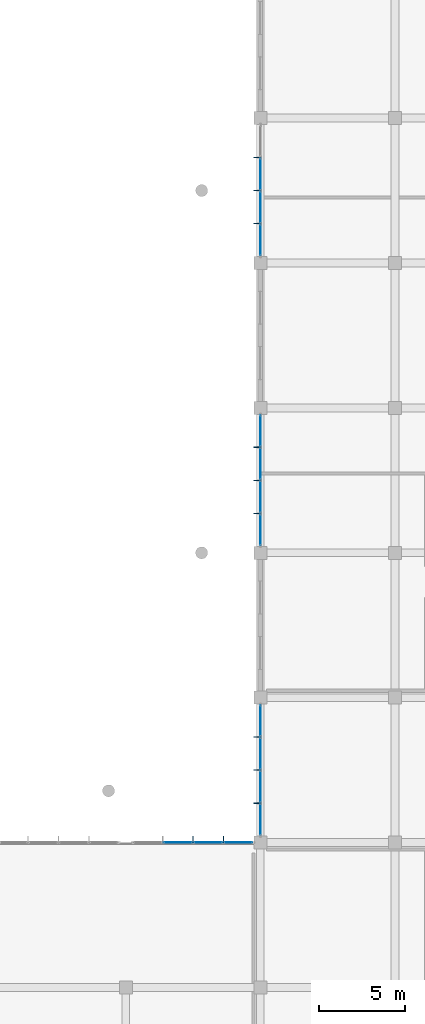
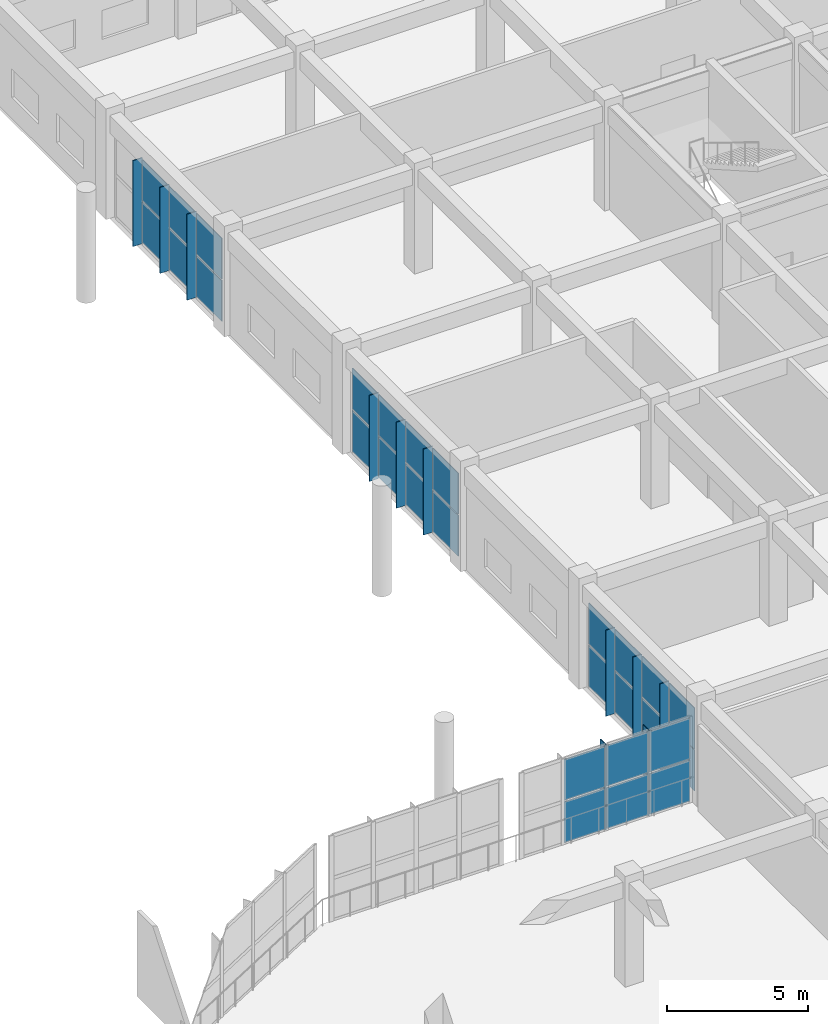
# One storey, part 134 of 167: 39 plates, 4 elements without a shape of their own.
"""IFC4 building model written with IfcOpenShell, lengths in metres."""

from ifc_helpers import new_model, si_unit, direction, frame, origin, origin_2d, place, context, subcontext, project, spatial, polyline, rectangle, outline, extrude, material, layer, layer_set, type_object, element, aggregate, save


model = new_model("IFC4")

# Units and contexts
model_context = context("Model", 3, precision=1e-05, world=origin(), true_north=direction((0.0, 1.0)))
body_context = subcontext(model_context, "Body", "Model", "MODEL_VIEW")
ifc_project = project(units=[si_unit("LENGTHUNIT", "METRE"), si_unit("AREAUNIT", "SQUARE_METRE"), si_unit("VOLUMEUNIT", "CUBIC_METRE"), si_unit("PLANEANGLEUNIT", "RADIAN"), si_unit("MASSUNIT", "GRAM", prefix="KILO")], contexts=[model_context])

# Site, building, storey
site_placement = place(None, origin())
site = spatial("IfcSite", under=ifc_project, at=site_placement, CompositionType="ELEMENT")
building_placement = place(site_placement, origin())
building = spatial("IfcBuilding", under=site, at=building_placement, Name="Zizhar Promenade General Hospital", CompositionType="ELEMENT")
storey_placement = place(building_placement, frame((0.0, 0.0, 9.60009765625)))
storey = spatial("IfcBuildingStorey", under=building, at=storey_placement, Name="L02", CompositionType="ELEMENT", Elevation=9.60009765625)

# Curtain wall, plates
ifc_material_1 = material(Name="Anodised aluminium 6063-T6 and low-E glass", Category="aluminium")
ifc_layer_1 = layer(ifc_material_1, 0.159912109375)
ifc_layer_set_1 = layer_set([ifc_layer_1], Name="Anodised aluminium 6063-T6 and low-E glass")
curtain_wall_type_1 = type_object("IfcCurtainWallType", Name="CW-DT-MOD2", PredefinedType="NOTDEFINED", material=ifc_layer_set_1)
curtain_wall_1_placement = place(storey_placement, origin())
curtain_wall_1 = element("IfcCurtainWall", 1, at=curtain_wall_1_placement, inside=storey, type_object=curtain_wall_type_1, Name="West Diagnostic Arm Glazed Curtain Wall L02-N2", PredefinedType="NOTDEFINED")
ifc_material_2 = material(Name="Low-E solar-control glass", Category="glass")
ifc_layer_2 = layer(ifc_material_2, 0.031982421875)
ifc_layer_set_2 = layer_set([ifc_layer_2], Name="Low-E solar-control glass")
plate_type_1 = type_object("IfcPlateType", Name="CWP-GLZ-32", PredefinedType="CURTAIN_PANEL", material=ifc_layer_set_2)
plate_1_placement = place(storey_placement, frame((42.02001953125, 84.0, 0.06005859375), z_axis=(0.0, 0.0, 1.0), x_axis=(1.0, 0.0, 0.0)))
plate_1 = element("IfcPlate", 2, at=plate_1_placement, type_object=plate_type_1, Name="CW-08 panel 2.1", PredefinedType="CURTAIN_PANEL", context=body_context, shape_type="SweptSolid", body=[
    extrude(rectangle(XDim=1.679931640625, YDim=0.031982421875, at=origin_2d()), origin(), (0.0, 0.0, 1.0), 1.77490234375),
])
plate_2_placement = place(storey_placement, frame((42.02001953125, 84.0, 1.89501953125), z_axis=(0.0, 0.0, 1.0), x_axis=(1.0, 0.0, 0.0)))
plate_2 = element("IfcPlate", 3, at=plate_2_placement, type_object=plate_type_1, Name="CW-08 panel 2.2", PredefinedType="CURTAIN_PANEL", context=body_context, shape_type="SweptSolid", body=[
    extrude(rectangle(XDim=1.679931640625, YDim=0.031982421875, at=origin_2d()), origin(), (0.0, 0.0, 1.0), 1.77490234375),
])
plate_3_placement = place(storey_placement, frame((43.780029296875, 84.0, 0.06005859375), z_axis=(0.0, 0.0, 1.0), x_axis=(1.0, 0.0, 0.0)))
plate_3 = element("IfcPlate", 4, at=plate_3_placement, type_object=plate_type_1, Name="CW-08 panel 3.1", PredefinedType="CURTAIN_PANEL", context=body_context, shape_type="SweptSolid", body=[
    extrude(rectangle(XDim=1.679931640625, YDim=0.031982421875, at=origin_2d()), origin(), (0.0, 0.0, 1.0), 1.77490234375),
])
plate_4_placement = place(storey_placement, frame((43.780029296875, 84.0, 1.89501953125), z_axis=(0.0, 0.0, 1.0), x_axis=(1.0, 0.0, 0.0)))
plate_4 = element("IfcPlate", 5, at=plate_4_placement, type_object=plate_type_1, Name="CW-08 panel 3.2", PredefinedType="CURTAIN_PANEL", context=body_context, shape_type="SweptSolid", body=[
    extrude(rectangle(XDim=1.679931640625, YDim=0.031982421875, at=origin_2d()), origin(), (0.0, 0.0, 1.0), 1.77490234375),
])
plate_5_placement = place(storey_placement, frame((45.52001953125, 84.0, 0.06005859375), z_axis=(0.0, 0.0, 1.0), x_axis=(1.0, 0.0, 0.0)))
plate_5 = element("IfcPlate", 6, at=plate_5_placement, type_object=plate_type_1, Name="CW-08 panel 4.1", PredefinedType="CURTAIN_PANEL", context=body_context, shape_type="SweptSolid", body=[
    extrude(rectangle(XDim=1.639892578125, YDim=0.031982421875, at=origin_2d()), origin(), (0.0, 0.0, 1.0), 1.77490234375),
])
plate_6_placement = place(storey_placement, frame((45.52001953125, 84.0, 1.89501953125), z_axis=(0.0, 0.0, 1.0), x_axis=(1.0, 0.0, 0.0)))
plate_6 = element("IfcPlate", 7, at=plate_6_placement, type_object=plate_type_1, Name="CW-08 panel 4.2", PredefinedType="CURTAIN_PANEL", context=body_context, shape_type="SweptSolid", body=[
    extrude(rectangle(XDim=1.639892578125, YDim=0.031982421875, at=origin_2d()), origin(), (0.0, 0.0, 1.0), 1.77490234375),
])
aggregate(curtain_wall_1, [plate_1, plate_2, plate_3, plate_4, plate_5, plate_6])

ifc_material_3 = material(Name="Anodised aluminium 6063-T6 and low-E glass", Category="aluminium")
ifc_layer_3 = layer(ifc_material_3, 0.159912109375)
ifc_layer_set_3 = layer_set([ifc_layer_3], Name="Anodised aluminium 6063-T6 and low-E glass")
curtain_wall_type_2 = type_object("IfcCurtainWallType", Name="CW-DT-MOD1", PredefinedType="NOTDEFINED", material=ifc_layer_set_3)
curtain_wall_2_placement = place(storey_placement, origin())
curtain_wall_2 = element("IfcCurtainWall", 8, at=curtain_wall_2_placement, inside=storey, type_object=curtain_wall_type_2, Name="Surgical West Glazed Curtain Wall L02-10", PredefinedType="NOTDEFINED")
plate_7_placement = place(storey_placement, frame((46.800048828125, 85.340087890625, 0.06005859375), z_axis=(0.0, 0.0, 1.0), x_axis=(0.0, 1.0, 0.0)))
plate_7 = element("IfcPlate", 9, at=plate_7_placement, type_object=plate_type_1, Name="CW-07 panel 1.1", PredefinedType="CURTAIN_PANEL", context=body_context, shape_type="SweptSolid", body=[
    extrude(rectangle(XDim=1.800048828125, YDim=0.031982421875, at=origin_2d()), origin(), (0.0, 0.0, 1.0), 1.77490234375),
])
plate_8_placement = place(storey_placement, frame((46.800048828125, 85.340087890625, 1.89501953125), z_axis=(0.0, 0.0, 1.0), x_axis=(0.0, 1.0, 0.0)))
plate_8 = element("IfcPlate", 10, at=plate_8_placement, type_object=plate_type_1, Name="CW-07 panel 1.2", PredefinedType="CURTAIN_PANEL", context=body_context, shape_type="SweptSolid", body=[
    extrude(rectangle(XDim=1.800048828125, YDim=0.031982421875, at=origin_2d()), origin(), (0.0, 0.0, 1.0), 1.77490234375),
])
plate_9_placement = place(storey_placement, frame((46.800048828125, 87.239990234375, 0.06005859375), z_axis=(0.0, 0.0, 1.0), x_axis=(0.0, 1.0, 0.0)))
plate_9 = element("IfcPlate", 11, at=plate_9_placement, type_object=plate_type_1, Name="CW-07 panel 2.1", PredefinedType="CURTAIN_PANEL", context=body_context, shape_type="SweptSolid", body=[
    extrude(rectangle(XDim=1.840087890625, YDim=0.031982421875, at=origin_2d()), origin(), (0.0, 0.0, 1.0), 1.77490234375),
])
plate_10_placement = place(storey_placement, frame((46.800048828125, 87.239990234375, 1.89501953125), z_axis=(0.0, 0.0, 1.0), x_axis=(0.0, 1.0, 0.0)))
plate_10 = element("IfcPlate", 12, at=plate_10_placement, type_object=plate_type_1, Name="CW-07 panel 2.2", PredefinedType="CURTAIN_PANEL", context=body_context, shape_type="SweptSolid", body=[
    extrude(rectangle(XDim=1.840087890625, YDim=0.031982421875, at=origin_2d()), origin(), (0.0, 0.0, 1.0), 1.77490234375),
])
plate_11_placement = place(storey_placement, frame((46.800048828125, 89.159912109375, 0.06005859375), z_axis=(0.0, 0.0, 1.0), x_axis=(0.0, 1.0, 0.0)))
plate_11 = element("IfcPlate", 13, at=plate_11_placement, type_object=plate_type_1, Name="CW-07 panel 3.1", PredefinedType="CURTAIN_PANEL", context=body_context, shape_type="SweptSolid", body=[
    extrude(rectangle(XDim=1.840087890625, YDim=0.031982421875, at=origin_2d()), origin(), (0.0, 0.0, 1.0), 1.77490234375),
])
plate_12_placement = place(storey_placement, frame((46.800048828125, 89.159912109375, 1.89501953125), z_axis=(0.0, 0.0, 1.0), x_axis=(0.0, 1.0, 0.0)))
plate_12 = element("IfcPlate", 14, at=plate_12_placement, type_object=plate_type_1, Name="CW-07 panel 3.2", PredefinedType="CURTAIN_PANEL", context=body_context, shape_type="SweptSolid", body=[
    extrude(rectangle(XDim=1.840087890625, YDim=0.031982421875, at=origin_2d()), origin(), (0.0, 0.0, 1.0), 1.77490234375),
])
plate_13_placement = place(storey_placement, frame((46.800048828125, 91.06005859375, 0.06005859375), z_axis=(0.0, 0.0, 1.0), x_axis=(0.0, 1.0, 0.0)))
plate_13 = element("IfcPlate", 15, at=plate_13_placement, type_object=plate_type_1, Name="CW-07 panel 4.1", PredefinedType="CURTAIN_PANEL", context=body_context, shape_type="SweptSolid", body=[
    extrude(rectangle(XDim=1.800048828125, YDim=0.031982421875, at=origin_2d()), origin(), (0.0, 0.0, 1.0), 1.77490234375),
])
plate_14_placement = place(storey_placement, frame((46.800048828125, 91.06005859375, 1.89501953125), z_axis=(0.0, 0.0, 1.0), x_axis=(0.0, 1.0, 0.0)))
plate_14 = element("IfcPlate", 16, at=plate_14_placement, type_object=plate_type_1, Name="CW-07 panel 4.2", PredefinedType="CURTAIN_PANEL", context=body_context, shape_type="SweptSolid", body=[
    extrude(rectangle(XDim=1.800048828125, YDim=0.031982421875, at=origin_2d()), origin(), (0.0, 0.0, 1.0), 1.77490234375),
])
aggregate(curtain_wall_2, [plate_7, plate_8, plate_9, plate_10, plate_11, plate_12, plate_13, plate_14])

curtain_wall_3_placement = place(storey_placement, origin())
curtain_wall_3 = element("IfcCurtainWall", 17, at=curtain_wall_3_placement, inside=storey, type_object=curtain_wall_type_2, Name="Surgical West Glazed Curtain Wall L02-12", PredefinedType="NOTDEFINED")
plate_15_placement = place(storey_placement, frame((46.800048828125, 102.139892578125, 0.06005859375), z_axis=(0.0, 0.0, 1.0), x_axis=(0.0, 1.0, 0.0)))
plate_15 = element("IfcPlate", 18, at=plate_15_placement, type_object=plate_type_1, Name="CW-07 panel 1.1", PredefinedType="CURTAIN_PANEL", context=body_context, shape_type="SweptSolid", body=[
    extrude(rectangle(XDim=1.800048828125, YDim=0.031982421875, at=origin_2d()), origin(), (0.0, 0.0, 1.0), 1.77490234375),
])
plate_16_placement = place(storey_placement, frame((46.800048828125, 102.139892578125, 1.89501953125), z_axis=(0.0, 0.0, 1.0), x_axis=(0.0, 1.0, 0.0)))
plate_16 = element("IfcPlate", 19, at=plate_16_placement, type_object=plate_type_1, Name="CW-07 panel 1.2", PredefinedType="CURTAIN_PANEL", context=body_context, shape_type="SweptSolid", body=[
    extrude(rectangle(XDim=1.800048828125, YDim=0.031982421875, at=origin_2d()), origin(), (0.0, 0.0, 1.0), 1.77490234375),
])
plate_17_placement = place(storey_placement, frame((46.800048828125, 104.0400390625, 0.06005859375), z_axis=(0.0, 0.0, 1.0), x_axis=(0.0, 1.0, 0.0)))
plate_17 = element("IfcPlate", 20, at=plate_17_placement, type_object=plate_type_1, Name="CW-07 panel 2.1", PredefinedType="CURTAIN_PANEL", context=body_context, shape_type="SweptSolid", body=[
    extrude(rectangle(XDim=1.840087890625, YDim=0.031982421875, at=origin_2d()), origin(), (0.0, 0.0, 1.0), 1.77490234375),
])
plate_18_placement = place(storey_placement, frame((46.800048828125, 104.0400390625, 1.89501953125), z_axis=(0.0, 0.0, 1.0), x_axis=(0.0, 1.0, 0.0)))
plate_18 = element("IfcPlate", 21, at=plate_18_placement, type_object=plate_type_1, Name="CW-07 panel 2.2", PredefinedType="CURTAIN_PANEL", context=body_context, shape_type="SweptSolid", body=[
    extrude(rectangle(XDim=1.840087890625, YDim=0.031982421875, at=origin_2d()), origin(), (0.0, 0.0, 1.0), 1.77490234375),
])
plate_19_placement = place(storey_placement, frame((46.800048828125, 105.9599609375, 0.06005859375), z_axis=(0.0, 0.0, 1.0), x_axis=(0.0, 1.0, 0.0)))
plate_19 = element("IfcPlate", 22, at=plate_19_placement, type_object=plate_type_1, Name="CW-07 panel 3.1", PredefinedType="CURTAIN_PANEL", context=body_context, shape_type="SweptSolid", body=[
    extrude(rectangle(XDim=1.840087890625, YDim=0.031982421875, at=origin_2d()), origin(), (0.0, 0.0, 1.0), 1.77490234375),
])
plate_20_placement = place(storey_placement, frame((46.800048828125, 105.9599609375, 1.89501953125), z_axis=(0.0, 0.0, 1.0), x_axis=(0.0, 1.0, 0.0)))
plate_20 = element("IfcPlate", 23, at=plate_20_placement, type_object=plate_type_1, Name="CW-07 panel 3.2", PredefinedType="CURTAIN_PANEL", context=body_context, shape_type="SweptSolid", body=[
    extrude(rectangle(XDim=1.840087890625, YDim=0.031982421875, at=origin_2d()), origin(), (0.0, 0.0, 1.0), 1.77490234375),
])
plate_21_placement = place(storey_placement, frame((46.800048828125, 107.860107421875, 0.06005859375), z_axis=(0.0, 0.0, 1.0), x_axis=(0.0, 1.0, 0.0)))
plate_21 = element("IfcPlate", 24, at=plate_21_placement, type_object=plate_type_1, Name="CW-07 panel 4.1", PredefinedType="CURTAIN_PANEL", context=body_context, shape_type="SweptSolid", body=[
    extrude(rectangle(XDim=1.800048828125, YDim=0.031982421875, at=origin_2d()), origin(), (0.0, 0.0, 1.0), 1.77490234375),
])
plate_22_placement = place(storey_placement, frame((46.800048828125, 107.860107421875, 1.89501953125), z_axis=(0.0, 0.0, 1.0), x_axis=(0.0, 1.0, 0.0)))
plate_22 = element("IfcPlate", 25, at=plate_22_placement, type_object=plate_type_1, Name="CW-07 panel 4.2", PredefinedType="CURTAIN_PANEL", context=body_context, shape_type="SweptSolid", body=[
    extrude(rectangle(XDim=1.800048828125, YDim=0.031982421875, at=origin_2d()), origin(), (0.0, 0.0, 1.0), 1.77490234375),
])
aggregate(curtain_wall_3, [plate_15, plate_16, plate_17, plate_18, plate_19, plate_20, plate_21, plate_22])

curtain_wall_4_placement = place(storey_placement, origin())
curtain_wall_4 = element("IfcCurtainWall", 26, at=curtain_wall_4_placement, inside=storey, type_object=curtain_wall_type_2, Name="Surgical West Glazed Curtain Wall L02-14", PredefinedType="NOTDEFINED")
plate_23_placement = place(storey_placement, frame((46.800048828125, 118.93994140625, 0.06005859375), z_axis=(0.0, 0.0, 1.0), x_axis=(0.0, 1.0, 0.0)))
plate_23 = element("IfcPlate", 27, at=plate_23_placement, type_object=plate_type_1, Name="CW-07 panel 1.1", PredefinedType="CURTAIN_PANEL", context=body_context, shape_type="SweptSolid", body=[
    extrude(rectangle(XDim=1.800048828125, YDim=0.031982421875, at=origin_2d()), origin(), (0.0, 0.0, 1.0), 1.77490234375),
])
plate_24_placement = place(storey_placement, frame((46.800048828125, 118.93994140625, 1.89501953125), z_axis=(0.0, 0.0, 1.0), x_axis=(0.0, 1.0, 0.0)))
plate_24 = element("IfcPlate", 28, at=plate_24_placement, type_object=plate_type_1, Name="CW-07 panel 1.2", PredefinedType="CURTAIN_PANEL", context=body_context, shape_type="SweptSolid", body=[
    extrude(rectangle(XDim=1.800048828125, YDim=0.031982421875, at=origin_2d()), origin(), (0.0, 0.0, 1.0), 1.77490234375),
])
plate_25_placement = place(storey_placement, frame((46.800048828125, 120.840087890625, 0.06005859375), z_axis=(0.0, 0.0, 1.0), x_axis=(0.0, 1.0, 0.0)))
plate_25 = element("IfcPlate", 29, at=plate_25_placement, type_object=plate_type_1, Name="CW-07 panel 2.1", PredefinedType="CURTAIN_PANEL", context=body_context, shape_type="SweptSolid", body=[
    extrude(rectangle(XDim=1.840087890625, YDim=0.031982421875, at=origin_2d()), origin(), (0.0, 0.0, 1.0), 1.77490234375),
])
plate_26_placement = place(storey_placement, frame((46.800048828125, 120.840087890625, 1.89501953125), z_axis=(0.0, 0.0, 1.0), x_axis=(0.0, 1.0, 0.0)))
plate_26 = element("IfcPlate", 30, at=plate_26_placement, type_object=plate_type_1, Name="CW-07 panel 2.2", PredefinedType="CURTAIN_PANEL", context=body_context, shape_type="SweptSolid", body=[
    extrude(rectangle(XDim=1.840087890625, YDim=0.031982421875, at=origin_2d()), origin(), (0.0, 0.0, 1.0), 1.77490234375),
])
plate_27_placement = place(storey_placement, frame((46.800048828125, 122.760009765625, 0.06005859375), z_axis=(0.0, 0.0, 1.0), x_axis=(0.0, 1.0, 0.0)))
plate_27 = element("IfcPlate", 31, at=plate_27_placement, type_object=plate_type_1, Name="CW-07 panel 3.1", PredefinedType="CURTAIN_PANEL", context=body_context, shape_type="SweptSolid", body=[
    extrude(rectangle(XDim=1.840087890625, YDim=0.031982421875, at=origin_2d()), origin(), (0.0, 0.0, 1.0), 1.77490234375),
])
plate_28_placement = place(storey_placement, frame((46.800048828125, 122.760009765625, 1.89501953125), z_axis=(0.0, 0.0, 1.0), x_axis=(0.0, 1.0, 0.0)))
plate_28 = element("IfcPlate", 32, at=plate_28_placement, type_object=plate_type_1, Name="CW-07 panel 3.2", PredefinedType="CURTAIN_PANEL", context=body_context, shape_type="SweptSolid", body=[
    extrude(rectangle(XDim=1.840087890625, YDim=0.031982421875, at=origin_2d()), origin(), (0.0, 0.0, 1.0), 1.77490234375),
])
aggregate(curtain_wall_4, [plate_23, plate_24, plate_25, plate_26, plate_27, plate_28])

# Plates
ifc_material_4 = material(Name="Anodised aluminium 6063-T6", Category="aluminium")
ifc_layer_4 = layer(ifc_material_4, 0.035888671875)
ifc_layer_set_4 = layer_set([ifc_layer_4], Name="Anodised aluminium 6063-T6")
plate_type_2 = type_object("IfcPlateType", Name="FIN-ALU-380", PredefinedType="USERDEFINED", material=ifc_layer_set_4)
plate_29_placement = place(storey_placement, origin())
element("IfcPlate", 33, at=plate_29_placement, inside=storey, type_object=plate_type_2, Name="West Diagnostic Arm Glazed Curtain Wall L02-N2 Solar Fin 2", ObjectType="SOLAR_SHADE", PredefinedType="USERDEFINED", context=body_context, shape_type="SweptSolid", body=[
    extrude(outline(polyline([(42.882080078125, 84.0), (42.91796875, 84.0), (42.91796875, 84.3798828125), (42.882080078125, 84.3798828125), (42.882080078125, 84.0)])), origin(), (0.0, 0.0, 1.0), 3.72998046875),
])
plate_30_placement = place(storey_placement, origin())
element("IfcPlate", 34, at=plate_30_placement, inside=storey, type_object=plate_type_2, Name="West Diagnostic Arm Glazed Curtain Wall L02-N2 Solar Fin 3", ObjectType="SOLAR_SHADE", PredefinedType="USERDEFINED", context=body_context, shape_type="SweptSolid", body=[
    extrude(outline(polyline([(44.64208984375, 84.0), (44.677978515625, 84.0), (44.677978515625, 84.3798828125), (44.64208984375, 84.3798828125), (44.64208984375, 84.0)])), origin(), (0.0, 0.0, 1.0), 3.72998046875),
])
plate_31_placement = place(storey_placement, origin())
element("IfcPlate", 35, at=plate_31_placement, inside=storey, type_object=plate_type_2, Name="Surgical West Glazed Curtain Wall L02-10 Solar Fin 1", ObjectType="SOLAR_SHADE", PredefinedType="USERDEFINED", context=body_context, shape_type="SweptSolid", body=[
    extrude(outline(polyline([(46.800048828125, 86.261962890625), (46.800048828125, 86.298095703125), (46.419921875, 86.298095703125), (46.419921875, 86.261962890625), (46.800048828125, 86.261962890625)])), origin(), (0.0, 0.0, 1.0), 3.72998046875),
])
plate_32_placement = place(storey_placement, origin())
element("IfcPlate", 36, at=plate_32_placement, inside=storey, type_object=plate_type_2, Name="Surgical West Glazed Curtain Wall L02-10 Solar Fin 2", ObjectType="SOLAR_SHADE", PredefinedType="USERDEFINED", context=body_context, shape_type="SweptSolid", body=[
    extrude(outline(polyline([(46.800048828125, 88.181884765625), (46.800048828125, 88.218017578125), (46.419921875, 88.218017578125), (46.419921875, 88.181884765625), (46.800048828125, 88.181884765625)])), origin(), (0.0, 0.0, 1.0), 3.72998046875),
])
plate_33_placement = place(storey_placement, origin())
element("IfcPlate", 37, at=plate_33_placement, inside=storey, type_object=plate_type_2, Name="Surgical West Glazed Curtain Wall L02-10 Solar Fin 3", ObjectType="SOLAR_SHADE", PredefinedType="USERDEFINED", context=body_context, shape_type="SweptSolid", body=[
    extrude(outline(polyline([(46.800048828125, 90.10205078125), (46.800048828125, 90.137939453125), (46.419921875, 90.137939453125), (46.419921875, 90.10205078125), (46.800048828125, 90.10205078125)])), origin(), (0.0, 0.0, 1.0), 3.72998046875),
])
plate_34_placement = place(storey_placement, origin())
element("IfcPlate", 38, at=plate_34_placement, inside=storey, type_object=plate_type_2, Name="Surgical West Glazed Curtain Wall L02-12 Solar Fin 1", ObjectType="SOLAR_SHADE", PredefinedType="USERDEFINED", context=body_context, shape_type="SweptSolid", body=[
    extrude(outline(polyline([(46.800048828125, 103.06201171875), (46.800048828125, 103.097900390625), (46.419921875, 103.097900390625), (46.419921875, 103.06201171875), (46.800048828125, 103.06201171875)])), origin(), (0.0, 0.0, 1.0), 3.72998046875),
])
plate_35_placement = place(storey_placement, origin())
element("IfcPlate", 39, at=plate_35_placement, inside=storey, type_object=plate_type_2, Name="Surgical West Glazed Curtain Wall L02-12 Solar Fin 2", ObjectType="SOLAR_SHADE", PredefinedType="USERDEFINED", context=body_context, shape_type="SweptSolid", body=[
    extrude(outline(polyline([(46.800048828125, 104.98193359375), (46.800048828125, 105.01806640625), (46.419921875, 105.01806640625), (46.419921875, 104.98193359375), (46.800048828125, 104.98193359375)])), origin(), (0.0, 0.0, 1.0), 3.72998046875),
])
plate_36_placement = place(storey_placement, origin())
element("IfcPlate", 40, at=plate_36_placement, inside=storey, type_object=plate_type_2, Name="Surgical West Glazed Curtain Wall L02-12 Solar Fin 3", ObjectType="SOLAR_SHADE", PredefinedType="USERDEFINED", context=body_context, shape_type="SweptSolid", body=[
    extrude(outline(polyline([(46.800048828125, 106.902099609375), (46.800048828125, 106.93798828125), (46.419921875, 106.93798828125), (46.419921875, 106.902099609375), (46.800048828125, 106.902099609375)])), origin(), (0.0, 0.0, 1.0), 3.72998046875),
])
plate_37_placement = place(storey_placement, origin())
element("IfcPlate", 41, at=plate_37_placement, inside=storey, type_object=plate_type_2, Name="Surgical West Glazed Curtain Wall L02-14 Solar Fin 1", ObjectType="SOLAR_SHADE", PredefinedType="USERDEFINED", context=body_context, shape_type="SweptSolid", body=[
    extrude(outline(polyline([(46.800048828125, 119.862060546875), (46.800048828125, 119.89794921875), (46.419921875, 119.89794921875), (46.419921875, 119.862060546875), (46.800048828125, 119.862060546875)])), origin(), (0.0, 0.0, 1.0), 3.72998046875),
])
plate_38_placement = place(storey_placement, origin())
element("IfcPlate", 42, at=plate_38_placement, inside=storey, type_object=plate_type_2, Name="Surgical West Glazed Curtain Wall L02-14 Solar Fin 2", ObjectType="SOLAR_SHADE", PredefinedType="USERDEFINED", context=body_context, shape_type="SweptSolid", body=[
    extrude(outline(polyline([(46.800048828125, 121.781982421875), (46.800048828125, 121.818115234375), (46.419921875, 121.818115234375), (46.419921875, 121.781982421875), (46.800048828125, 121.781982421875)])), origin(), (0.0, 0.0, 1.0), 3.72998046875),
])
plate_39_placement = place(storey_placement, origin())
element("IfcPlate", 43, at=plate_39_placement, inside=storey, type_object=plate_type_2, Name="Surgical West Glazed Curtain Wall L02-14 Solar Fin 3", ObjectType="SOLAR_SHADE", PredefinedType="USERDEFINED", context=body_context, shape_type="SweptSolid", body=[
    extrude(outline(polyline([(46.800048828125, 123.701904296875), (46.800048828125, 123.738037109375), (46.419921875, 123.738037109375), (46.419921875, 123.701904296875), (46.800048828125, 123.701904296875)])), origin(), (0.0, 0.0, 1.0), 3.72998046875),
])

save(model, "model.ifc")
